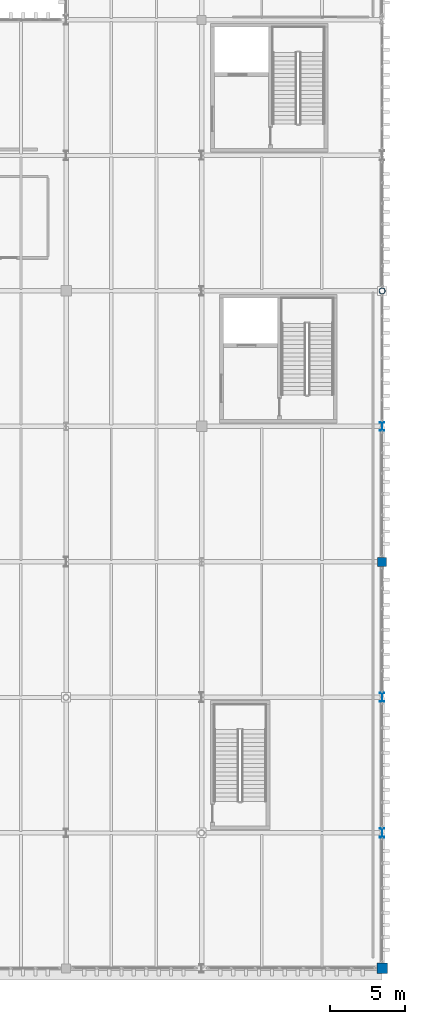
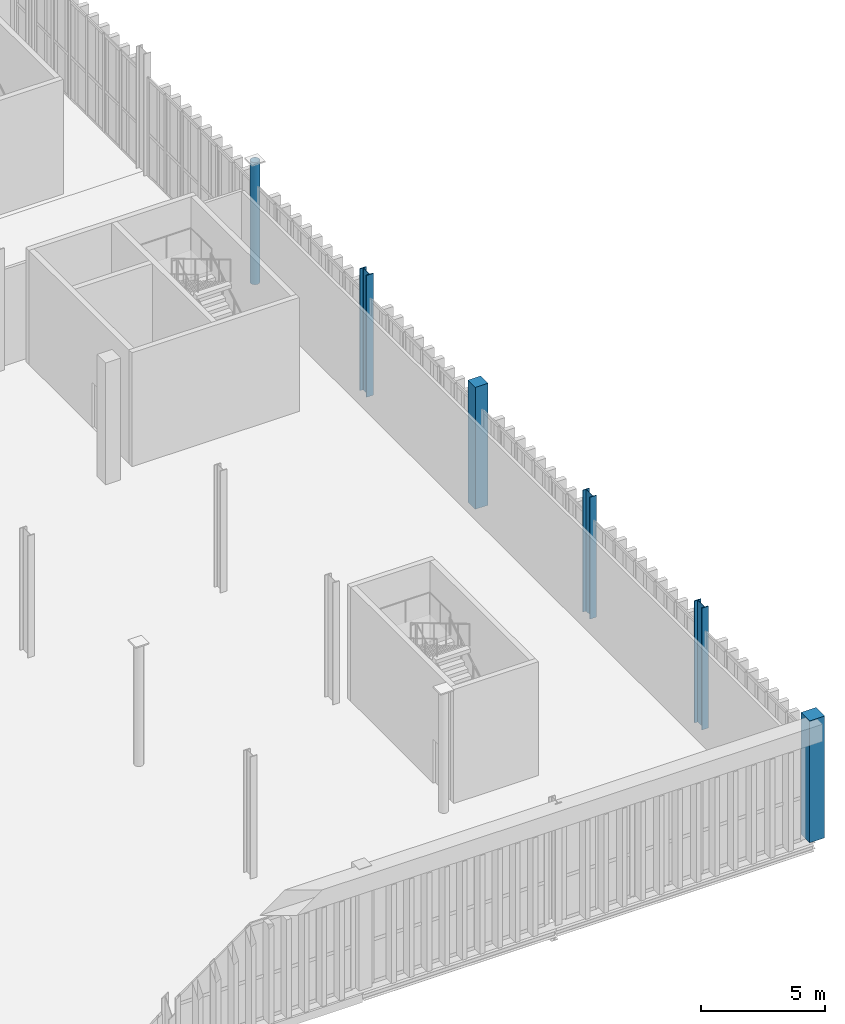
# One storey, part 17 of 237: 6 columns.
"""IFC4 building model written with IfcOpenShell, lengths in metres."""

from ifc_helpers import new_model, si_unit, direction, frame, origin, origin_2d, place, context, subcontext, project, spatial, rectangle, hollow_circle, i_section, extrude, material, material_profile, profile_set, type_object, element, save


model = new_model("IFC4")

# Units and contexts
model_context = context("Model", 3, precision=1e-05, world=origin(), true_north=direction((0.0, 1.0)))
body_context = subcontext(model_context, "Body", "Model", "MODEL_VIEW")
ifc_project = project(units=[si_unit("LENGTHUNIT", "METRE"), si_unit("AREAUNIT", "SQUARE_METRE"), si_unit("VOLUMEUNIT", "CUBIC_METRE"), si_unit("PLANEANGLEUNIT", "RADIAN"), si_unit("MASSUNIT", "GRAM", prefix="KILO")], contexts=[model_context])

# Site, building, storey
site_placement = place(None, origin())
site = spatial("IfcSite", under=ifc_project, at=site_placement, CompositionType="ELEMENT")
building_placement = place(site_placement, origin())
building = spatial("IfcBuilding", under=site, at=building_placement, Name="Barlavento Convention Centre", CompositionType="ELEMENT")
storey_placement = place(building_placement, frame((0.0, 0.0, 12.0)))
storey = spatial("IfcBuildingStorey", under=building, at=storey_placement, Name="L02", CompositionType="ELEMENT", Elevation=12.0)

# Columns
ifc_material_1 = material(Name="Steel S355", Category="steel")
ifc_material_profile_1 = material_profile(ifc_material_1, hollow_circle(Radius=0.203125, WallThickness=0.01611328125, at=origin_2d()), Name="CHS 406.4x16.0")
ifc_profile_set_1 = profile_set([ifc_material_profile_1], Name="Steel S355")
column_type_1 = type_object("IfcColumnType", Name="STR-COL-CHS406", PredefinedType="COLUMN", material=ifc_profile_set_1)
column_1_placement = place(storey_placement, frame((192.0, 45.0, 0.0), z_axis=(0.0, 0.0, 1.0), x_axis=(1.0, 0.0, 0.0)))
element("IfcColumn", 1, at=column_1_placement, inside=storey, type_object=column_type_1, Name="L02 column SC14", PredefinedType="COLUMN", context=body_context, shape_type="SweptSolid", body=[
    extrude(hollow_circle(Radius=0.203125, WallThickness=0.01611328125, at=origin_2d()), origin(), (0.0, 0.0, 1.0), 6.0),
])
ifc_material_profile_2 = material_profile(ifc_material_1, i_section(OverallWidth=0.300048828125, OverallDepth=0.60009765625, WebThickness=0.015380859375, FlangeThickness=0.030029296875, FilletRadius=0.027099609375, at=origin_2d()), Name="HEB 600")
ifc_profile_set_2 = profile_set([ifc_material_profile_2], Name="Steel S355")
column_type_2 = type_object("IfcColumnType", Name="STR-COL-HEB600", PredefinedType="COLUMN", material=ifc_profile_set_2)
column_2_placement = place(storey_placement, frame((192.0, 18.0, 0.0), z_axis=(0.0, 0.0, 1.0), x_axis=(1.0, 0.0, 0.0)))
element("IfcColumn", 2, at=column_2_placement, inside=storey, type_object=column_type_2, Name="L02 column SC08", PredefinedType="COLUMN", context=body_context, shape_type="SweptSolid", body=[
    extrude(i_section(OverallWidth=0.300048828125, OverallDepth=0.60009765625, WebThickness=0.015380859375, FlangeThickness=0.030029296875, FilletRadius=0.027099609375, at=origin_2d()), origin(), (0.0, 0.0, 1.0), 6.0),
])
ifc_material_profile_3 = material_profile(ifc_material_1, i_section(OverallWidth=0.305908203125, OverallDepth=0.572021484375, WebThickness=0.02099609375, FlangeThickness=0.0400390625, FilletRadius=0.027099609375, at=origin_2d()), Name="HEM 550")
ifc_profile_set_3 = profile_set([ifc_material_profile_3], Name="Steel S355")
column_type_3 = type_object("IfcColumnType", Name="STR-COL-HEM550", PredefinedType="COLUMN", material=ifc_profile_set_3)
column_3_placement = place(storey_placement, frame((192.0, 36.0, 0.0), z_axis=(0.0, 0.0, 1.0), x_axis=(1.0, 0.0, 0.0)))
element("IfcColumn", 3, at=column_3_placement, inside=storey, type_object=column_type_3, Name="L02 column SC06", PredefinedType="COLUMN", context=body_context, shape_type="SweptSolid", body=[
    extrude(i_section(OverallWidth=0.305908203125, OverallDepth=0.572021484375, WebThickness=0.02099609375, FlangeThickness=0.0400390625, FilletRadius=0.027099609375, at=origin_2d()), origin(), (0.0, 0.0, 1.0), 6.0),
])
ifc_material_profile_4 = material_profile(ifc_material_1, i_section(OverallWidth=0.304931640625, OverallDepth=0.6201171875, WebThickness=0.02099609375, FlangeThickness=0.0400390625, FilletRadius=0.027099609375, at=origin_2d()), Name="HEM 600")
ifc_profile_set_4 = profile_set([ifc_material_profile_4], Name="Steel S355")
column_type_4 = type_object("IfcColumnType", Name="STR-COL-HEM600", PredefinedType="COLUMN", material=ifc_profile_set_4)
column_4_placement = place(storey_placement, frame((192.0, 9.0, 0.0), z_axis=(0.0, 0.0, 1.0), x_axis=(1.0, 0.0, 0.0)))
element("IfcColumn", 4, at=column_4_placement, inside=storey, type_object=column_type_4, Name="L02 column SC05", PredefinedType="COLUMN", context=body_context, shape_type="SweptSolid", body=[
    extrude(i_section(OverallWidth=0.304931640625, OverallDepth=0.6201171875, WebThickness=0.02099609375, FlangeThickness=0.0400390625, FilletRadius=0.027099609375, at=origin_2d()), origin(), (0.0, 0.0, 1.0), 6.0),
])
ifc_material_2 = material(Name="Concrete C40/50", Category="concrete")
ifc_material_profile_5 = material_profile(ifc_material_2, rectangle(XDim=0.60009765625, YDim=0.60009765625, at=origin_2d()), Name="RC 600x600")
ifc_profile_set_5 = profile_set([ifc_material_profile_5], Name="Concrete C40/50")
column_type_5 = type_object("IfcColumnType", Name="STR-COL-RC600", PredefinedType="COLUMN", material=ifc_profile_set_5)
column_5_placement = place(storey_placement, frame((192.0, 27.0, 0.0), z_axis=(0.0, 0.0, 1.0), x_axis=(1.0, 0.0, 0.0)))
element("IfcColumn", 5, at=column_5_placement, inside=storey, type_object=column_type_5, Name="L02 column CC07", PredefinedType="COLUMN", context=body_context, shape_type="SweptSolid", body=[
    extrude(rectangle(XDim=0.60009765625, YDim=0.60009765625, at=origin_2d()), origin(), (0.0, 0.0, 1.0), 6.0),
])
ifc_material_profile_6 = material_profile(ifc_material_2, rectangle(XDim=0.699951171875, YDim=0.699951171875, at=origin_2d()), Name="RC 700x700")
ifc_profile_set_6 = profile_set([ifc_material_profile_6], Name="Concrete C40/50")
column_type_6 = type_object("IfcColumnType", Name="STR-COL-RC700", PredefinedType="COLUMN", material=ifc_profile_set_6)
column_6_placement = place(storey_placement, frame((192.0, 0.0, 0.0), z_axis=(0.0, 0.0, 1.0), x_axis=(1.0, 0.0, 0.0)))
element("IfcColumn", 6, at=column_6_placement, inside=storey, type_object=column_type_6, Name="L02 column CC06", PredefinedType="COLUMN", context=body_context, shape_type="SweptSolid", body=[
    extrude(rectangle(XDim=0.699951171875, YDim=0.699951171875, at=origin_2d()), origin(), (0.0, 0.0, 1.0), 6.0),
])

save(model, "model.ifc")
